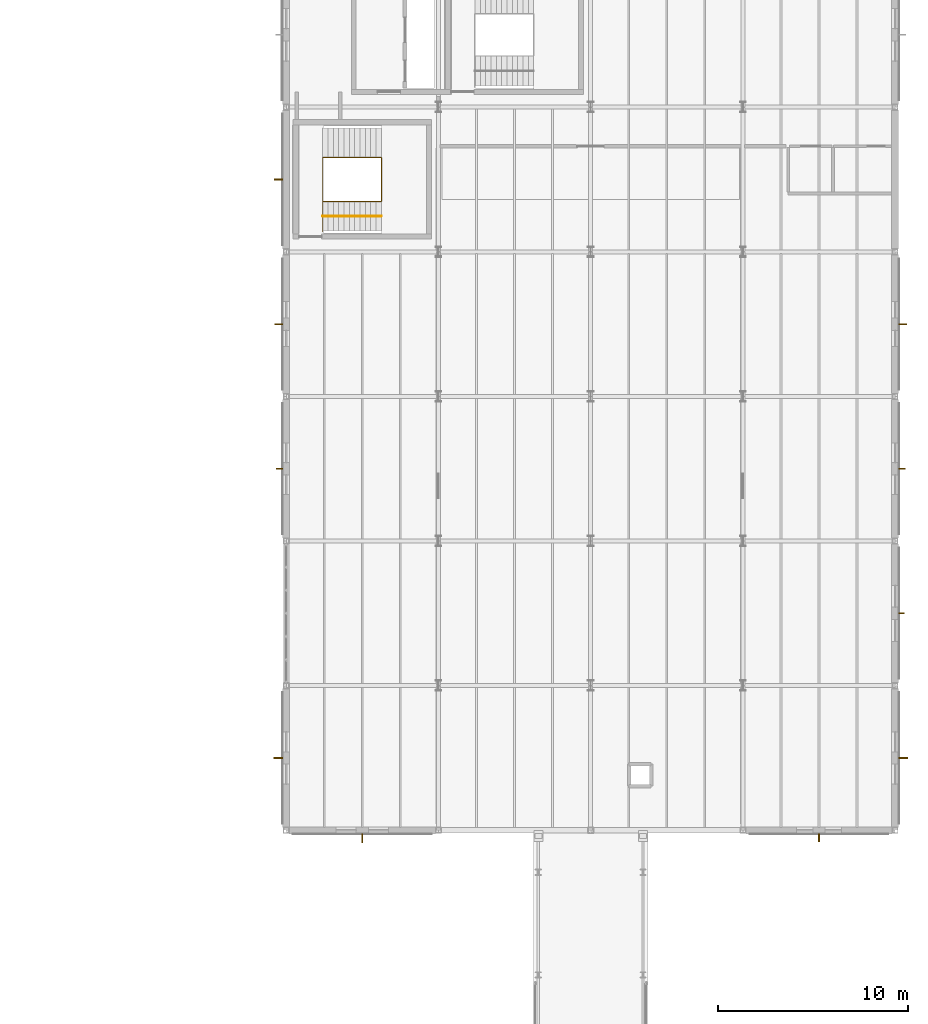
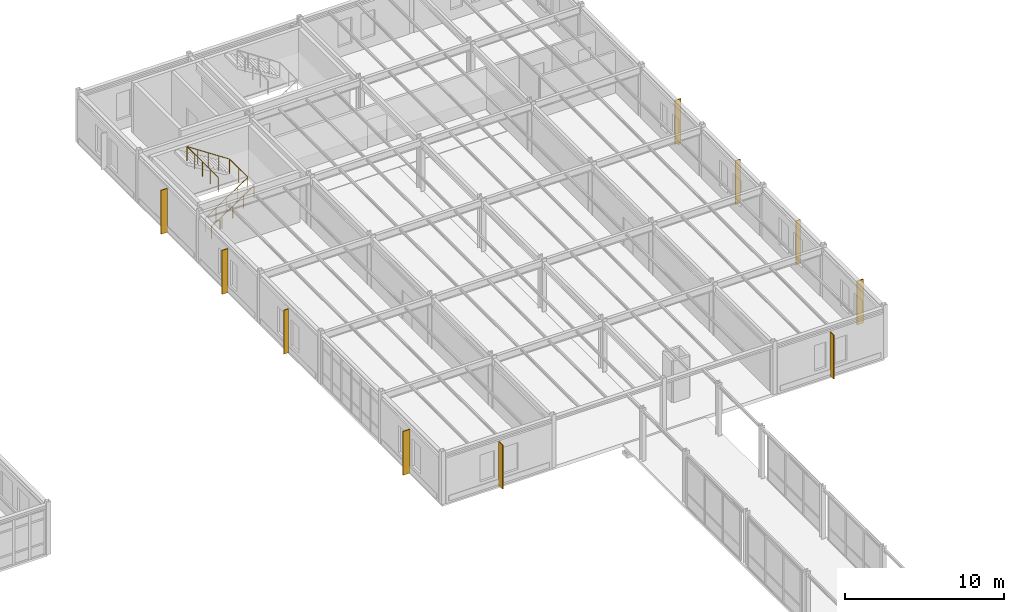
# One storey, part 164 of 165: 10 shading devices, 2 railings.
"""IFC4 building model written with IfcOpenShell, lengths in metres."""

from ifc_helpers import new_model, si_unit, direction, frame, origin, origin_2d, place, context, subcontext, project, spatial, rectangle, circle, extrude, material, type_object, element, save


model = new_model("IFC4")

# Units and contexts
model_context = context("Model", 3, precision=1e-05, world=origin(), true_north=direction((0.0, 1.0)))
body_context = subcontext(model_context, "Body", "Model", "MODEL_VIEW")
ifc_project = project(units=[si_unit("LENGTHUNIT", "METRE"), si_unit("AREAUNIT", "SQUARE_METRE"), si_unit("VOLUMEUNIT", "CUBIC_METRE"), si_unit("PLANEANGLEUNIT", "RADIAN"), si_unit("MASSUNIT", "GRAM", prefix="KILO")], contexts=[model_context])

# Site, building, storey
site_placement = place(None, origin())
site = spatial("IfcSite", under=ifc_project, at=site_placement, CompositionType="ELEMENT")
building_placement = place(site_placement, origin())
building = spatial("IfcBuilding", under=site, at=building_placement, Name="Montecoro Central Library", CompositionType="ELEMENT")
storey_placement = place(building_placement, frame((0.0, 0.0, 5.10009765625)))
storey = spatial("IfcBuildingStorey", under=building, at=storey_placement, Name="L01", CompositionType="ELEMENT", Elevation=5.10009765625)

# Railings
ifc_material_1 = material(Name="Brushed stainless steel and bronze balustrade", Category="steel")
railing_type_1 = type_object("IfcRailingType", Name="GRD-INT-110", PredefinedType="GUARDRAIL", material=ifc_material_1)
railing_1_placement = place(storey_placement, frame((142.919921875, 106.449951171875, 0.0)))
element("IfcRailing", 1, at=railing_1_placement, inside=storey, type_object=railing_type_1, Name="C8-L01-STR-GRD", PredefinedType="GUARDRAIL", context=body_context, shape_type="SweptSolid", body=[
    extrude(circle(Radius=0.02392578125, at=origin_2d()), frame((0.0, 0.0, 1.09619140625), z_axis=(0.833744305047, 0.0, 0.552150734675), x_axis=(0.0, 1.0, 0.0)), (0.0, 0.0, 1.0), 3.6943359375),
    extrude(circle(Radius=0.02392578125, at=origin_2d()), frame((3.080078125, 0.0, 3.1357421875), z_axis=(0.0, 1.0, 0.0), x_axis=(-1.0, 0.0, 0.0)), (0.0, 0.0, 1.0), 2.300048828125),
    extrude(circle(Radius=0.02392578125, at=origin_2d()), frame((3.080078125, 2.300048828125, 3.1357421875), z_axis=(-0.833713881912, 0.0, 0.552196670677), x_axis=(0.0, -1.0, 0.0)), (0.0, 0.0, 1.0), 3.6943359375),
    extrude(circle(Radius=0.02392578125, at=origin_2d()), frame((0.0, 2.300048828125, 5.17578125), z_axis=(0.0, -1.0, 0.0), x_axis=(1.0, 0.0, 0.0)), (0.0, 0.0, 1.0), 3.89990234375),
    extrude(circle(Radius=0.02099609375, at=origin_2d()), origin(), (0.0, 0.0, 1.0), 1.072021484375),
    extrude(circle(Radius=0.02099609375, at=origin_2d()), frame((0.77001953125, 0.0, 0.510009765625)), (0.0, 0.0, 1.0), 1.072021484375),
    extrude(circle(Radius=0.02099609375, at=origin_2d()), frame((1.5400390625, 0.0, 1.02001953125)), (0.0, 0.0, 1.0), 1.072021484375),
    extrude(circle(Radius=0.02099609375, at=origin_2d()), frame((2.31005859375, 0.0, 1.52978515625)), (0.0, 0.0, 1.0), 1.072021484375),
    extrude(circle(Radius=0.02099609375, at=origin_2d()), frame((3.080078125, 0.0, 2.039794921875)), (0.0, 0.0, 1.0), 1.072021484375),
    extrude(circle(Radius=0.02099609375, at=origin_2d()), frame((3.080078125, 1.14990234375, 2.039794921875)), (0.0, 0.0, 1.0), 1.072021484375),
    extrude(circle(Radius=0.02099609375, at=origin_2d()), frame((3.080078125, 2.300048828125, 2.039794921875)), (0.0, 0.0, 1.0), 1.072021484375),
    extrude(circle(Radius=0.02099609375, at=origin_2d()), frame((2.31005859375, 2.300048828125, 2.5498046875)), (0.0, 0.0, 1.0), 1.072021484375),
    extrude(circle(Radius=0.02099609375, at=origin_2d()), frame((1.5400390625, 2.300048828125, 3.059814453125)), (0.0, 0.0, 1.0), 1.072021484375),
    extrude(circle(Radius=0.02099609375, at=origin_2d()), frame((0.77001953125, 2.300048828125, 3.56982421875)), (0.0, 0.0, 1.0), 1.072021484375),
    extrude(circle(Radius=0.02099609375, at=origin_2d()), frame((0.0, 2.300048828125, 4.079833984375)), (0.0, 0.0, 1.0), 1.072021484375),
    extrude(circle(Radius=0.02099609375, at=origin_2d()), frame((0.0, 1.3251953125, 4.079833984375)), (0.0, 0.0, 1.0), 1.072021484375),
    extrude(circle(Radius=0.02099609375, at=origin_2d()), frame((0.0, 0.35009765625, 4.079833984375)), (0.0, 0.0, 1.0), 1.072021484375),
    extrude(circle(Radius=0.02099609375, at=origin_2d()), frame((0.0, -0.625, 4.079833984375)), (0.0, 0.0, 1.0), 1.072021484375),
    extrude(circle(Radius=0.02099609375, at=origin_2d()), frame((0.0, -1.599853515625, 4.079833984375)), (0.0, 0.0, 1.0), 1.072021484375),
])
ifc_material_2 = material(Name="Brushed architectural bronze handrail")
railing_type_2 = type_object("IfcRailingType", Name="HRL-STR-095", PredefinedType="HANDRAIL", material=ifc_material_2)
railing_2_placement = place(storey_placement, frame((142.919921875, 105.675048828125, 0.0)))
element("IfcRailing", 2, at=railing_2_placement, inside=storey, type_object=railing_type_2, Name="C8-L01-STR-HR1", PredefinedType="HANDRAIL", context=body_context, shape_type="SweptSolid", body=[
    extrude(circle(Radius=0.02392578125, at=origin_2d()), frame((0.0, 0.0, 0.92578125), z_axis=(0.833744305047, 0.0, 0.552150734675), x_axis=(0.0, 1.0, 0.0)), (0.0, 0.0, 1.0), 3.6943359375),
    extrude(circle(Radius=0.02099609375, at=origin_2d()), origin(), (0.0, 0.0, 1.0), 0.90185546875),
    extrude(circle(Radius=0.02099609375, at=origin_2d()), frame((0.77001953125, 0.0, 0.510009765625)), (0.0, 0.0, 1.0), 0.90185546875),
    extrude(circle(Radius=0.02099609375, at=origin_2d()), frame((1.5400390625, 0.0, 1.02001953125)), (0.0, 0.0, 1.0), 0.90185546875),
    extrude(circle(Radius=0.02099609375, at=origin_2d()), frame((2.31005859375, 0.0, 1.52978515625)), (0.0, 0.0, 1.0), 0.90185546875),
    extrude(circle(Radius=0.02099609375, at=origin_2d()), frame((3.080078125, 0.0, 2.039794921875)), (0.0, 0.0, 1.0), 0.90185546875),
])

# Shading devices
ifc_material_3 = material(Name="Architectural bronze solar fin", Category="aluminium")
shading_device_type_1 = type_object("IfcShadingDeviceType", Name="SHD-FIN-06", PredefinedType="USERDEFINED", material=ifc_material_3)
for number, where, z_axis, x_axis, name in (
    (3, (145.0, 72.9794921875, 0.06005859375), (0.0, 0.0, 1.0), (1.0, 0.0, 0.0), "V5-L01-FIN-S0"),
    (4, (173.42041015625, 77.199951171875, 0.06005859375), (0.0, 0.0, 1.0), (0.0, 1.0, 0.0), "V5-L01-FIN-E0"),
    (5, (140.57958984375, 77.199951171875, 0.06005859375), (0.0, 0.0, 1.0), (0.0, -1.0, 0.0), "V5-L01-FIN-W0"),
):
    element("IfcShadingDevice", number, at=place(storey_placement, frame(where, z_axis=z_axis, x_axis=x_axis)), inside=storey, type_object=shading_device_type_1, Name=name, ObjectType="SOLAR FIN", PredefinedType="USERDEFINED", context=body_context, shape_type="SweptSolid", body=[
        extrude(rectangle(XDim=0.06005859375, YDim=0.47998046875, at=origin_2d()), origin(), (0.0, 0.0, 1.0), 3.360107421875),
    ])
shading_device_type_2 = type_object("IfcShadingDeviceType", Name="SHD-FIN-07", PredefinedType="USERDEFINED", material=ifc_material_3)
shading_device_1_placement = place(storey_placement, frame((173.33056640625, 84.800048828125, 0.06005859375), z_axis=(0.0, 0.0, 1.0), x_axis=(0.0, 1.0, 0.0)))
element("IfcShadingDevice", 6, at=shading_device_1_placement, inside=storey, type_object=shading_device_type_2, Name="V5-L01-FIN-E1", ObjectType="SOLAR FIN", PredefinedType="USERDEFINED", context=body_context, shape_type="SweptSolid", body=[
    extrude(rectangle(XDim=0.06005859375, YDim=0.300048828125, at=origin_2d()), origin(), (0.0, 0.0, 1.0), 3.360107421875),
])
shading_device_type_3 = type_object("IfcShadingDeviceType", Name="SHD-FIN-08", PredefinedType="USERDEFINED", material=ifc_material_3)
for number, where, z_axis, x_axis, name in (
    (7, (173.35546875, 92.39990234375, 0.06005859375), (0.0, 0.0, 1.0), (0.0, 1.0, 0.0), "V5-L01-FIN-E2"),
    (8, (140.64453125, 92.39990234375, 0.06005859375), (0.0, 0.0, 1.0), (0.0, -1.0, 0.0), "V5-L01-FIN-W2"),
):
    element("IfcShadingDevice", number, at=place(storey_placement, frame(where, z_axis=z_axis, x_axis=x_axis)), inside=storey, type_object=shading_device_type_3, Name=name, ObjectType="SOLAR FIN", PredefinedType="USERDEFINED", context=body_context, shape_type="SweptSolid", body=[
        extrude(rectangle(XDim=0.06005859375, YDim=0.35009765625, at=origin_2d()), origin(), (0.0, 0.0, 1.0), 3.360107421875),
    ])
shading_device_type_4 = type_object("IfcShadingDeviceType", Name="SHD-FIN-09", PredefinedType="USERDEFINED", material=ifc_material_3)
for number, where, z_axis, x_axis, name in (
    (9, (169.0, 73.009521484375, 0.06005859375), (0.0, 0.0, 1.0), (1.0, 0.0, 0.0), "V5-L01-FIN-S3"),
    (10, (173.390380859375, 100.0, 0.06005859375), (0.0, 0.0, 1.0), (0.0, 1.0, 0.0), "V5-L01-FIN-E3"),
    (11, (140.609619140625, 100.0, 0.06005859375), (0.0, 0.0, 1.0), (0.0, -1.0, 0.0), "V5-L01-FIN-W3"),
):
    element("IfcShadingDevice", number, at=place(storey_placement, frame(where, z_axis=z_axis, x_axis=x_axis)), inside=storey, type_object=shading_device_type_4, Name=name, ObjectType="SOLAR FIN", PredefinedType="USERDEFINED", context=body_context, shape_type="SweptSolid", body=[
        extrude(rectangle(XDim=0.06005859375, YDim=0.419921875, at=origin_2d()), origin(), (0.0, 0.0, 1.0), 3.360107421875),
    ])
shading_device_type_5 = type_object("IfcShadingDeviceType", Name="SHD-FIN-10", PredefinedType="USERDEFINED", material=ifc_material_3)
shading_device_2_placement = place(storey_placement, frame((140.589599609375, 107.60009765625, 0.06005859375), z_axis=(0.0, 0.0, 1.0), x_axis=(0.0, -1.0, 0.0)))
element("IfcShadingDevice", 12, at=shading_device_2_placement, inside=storey, type_object=shading_device_type_5, Name="V5-L01-FIN-W4", ObjectType="SOLAR FIN", PredefinedType="USERDEFINED", context=body_context, shape_type="SweptSolid", body=[
    extrude(rectangle(XDim=0.06005859375, YDim=0.4599609375, at=origin_2d()), origin(), (0.0, 0.0, 1.0), 3.360107421875),
])

save(model, "model.ifc")
